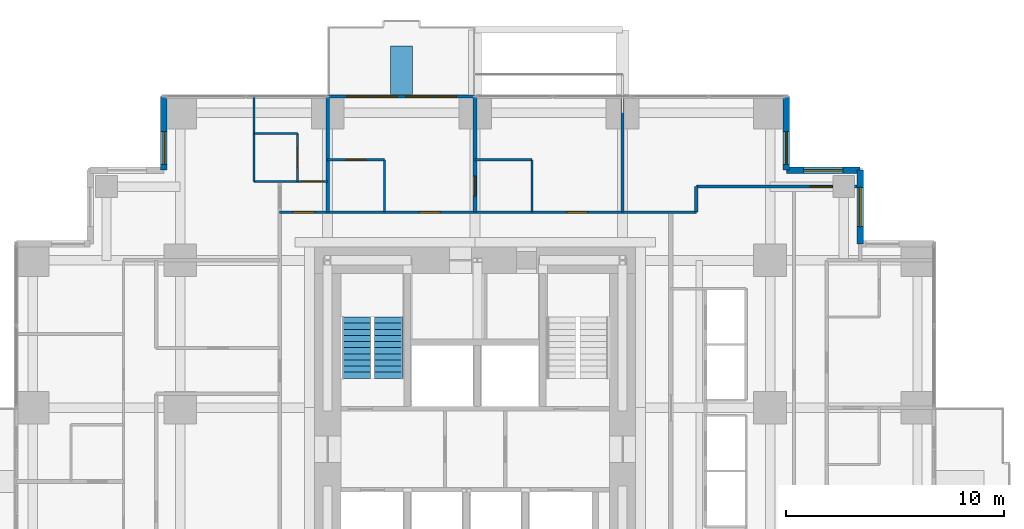
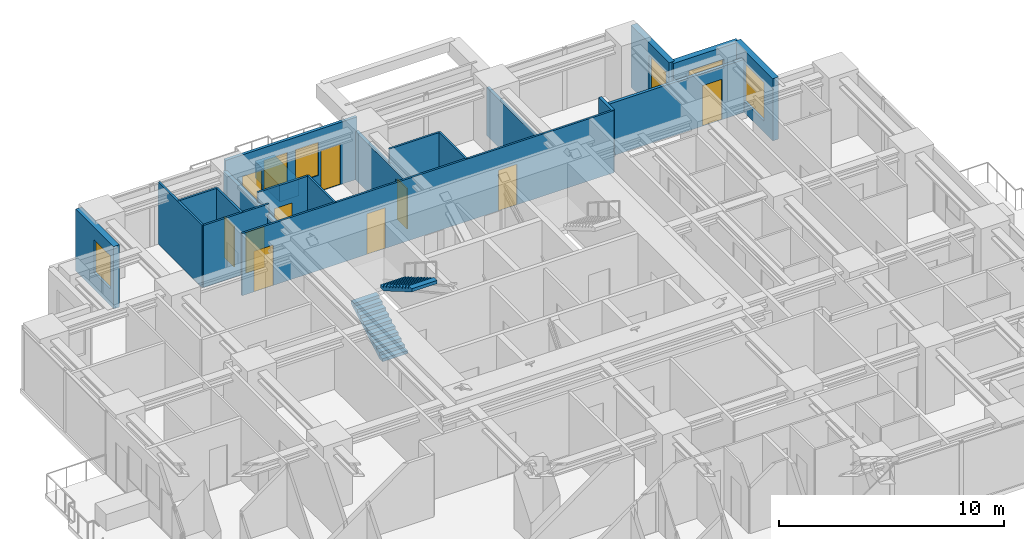
# One storey, part 11 of 13: 20 walls, 10 doors, 6 windows, 2 stair flights, 16 openings, 1 element without a shape of its own.
"""IFC4 building model written with IfcOpenShell, lengths in metres."""

from ifc_helpers import new_model, si_unit, direction, frame, frame_2d, origin, place, context, subcontext, project, spatial, polyline, rectangle, outline, extrude, material, layer, layer_set, type_object, element, fill, aggregate, save


model = new_model("IFC4")

# Units and contexts
model_context = context("Model", 3, precision=1e-05, world=origin(), true_north=direction((0.0, 1.0)))
body_context = subcontext(model_context, "Body", "Model", "MODEL_VIEW")
ifc_project = project(units=[si_unit("LENGTHUNIT", "METRE"), si_unit("AREAUNIT", "SQUARE_METRE"), si_unit("VOLUMEUNIT", "CUBIC_METRE"), si_unit("PLANEANGLEUNIT", "RADIAN"), si_unit("MASSUNIT", "GRAM", prefix="KILO")], contexts=[model_context])

# Site, building, storey
site_placement = place(None, origin())
site = spatial("IfcSite", under=ifc_project, at=site_placement, CompositionType="ELEMENT")
building_placement = place(site_placement, origin())
building = spatial("IfcBuilding", under=site, at=building_placement, Name="Nyansa Garden Tower", CompositionType="ELEMENT")
storey_placement = place(building_placement, frame((0.0, 0.0, 123.300048828125)))
storey = spatial("IfcBuildingStorey", under=building, at=storey_placement, Name="L33", CompositionType="ELEMENT", Elevation=123.300048828125)

# Wall
ifc_material_1 = material(Name="Dense blockwork, plastered both sides, 55 dB", Category="masonry")
ifc_layer_1 = layer(ifc_material_1, 0.175048828125)
ifc_layer_set_1 = layer_set([ifc_layer_1], Name="Acoustic party wall PW175")
wall_type_1 = type_object("IfcWallType", Name="Acoustic party wall PW175", PredefinedType="PARTITIONING", material=ifc_layer_set_1)
wall_1_placement = place(storey_placement, frame((13.5, 29.199951171875, 0.0), z_axis=(0.0, 0.0, 1.0), x_axis=(0.0, 1.0, 0.0)))
element("IfcWall", 1, at=wall_1_placement, inside=storey, type_object=wall_type_1, Name="Party wall", PredefinedType="PARTITIONING", context=body_context, shape_type="SweptSolid", body=[
    extrude(rectangle(XDim=5.283935546875, YDim=0.175048828125, at=frame_2d((2.64208984375, 0.0))), origin(), (0.0, 0.0, 1.0), 2.805908203125),
])

# Wall, opening, door
wall_2_placement = place(storey_placement, frame((20.25, 29.199951171875, 0.0), z_axis=(0.0, 0.0, 1.0), x_axis=(0.0, 1.0, 0.0)))
wall_2 = element("IfcWall", 2, at=wall_2_placement, inside=storey, type_object=wall_type_1, Name="Party wall", PredefinedType="PARTITIONING", context=body_context, shape_type="SweptSolid", body=[
    extrude(rectangle(XDim=5.283935546875, YDim=0.175048828125, at=frame_2d((2.64208984375, 0.0))), origin(), (0.0, 0.0, 1.0), 2.60986328125),
])
opening_1_placement = place(wall_2_placement, frame((0.75, 0.0, 0.0)))
opening_1 = element("IfcOpeningElement", 3, at=opening_1_placement, cuts=wall_2, Name="Opening D02", PredefinedType="OPENING", context=body_context, shape_type="SweptSolid", body=[
    extrude(rectangle(XDim=0.89990234375, YDim=2.199951171875, at=frame_2d((0.449951171875, 1.10009765625))), frame((0.0, 0.097412109375, 0.0), z_axis=(0.0, -1.0, 0.0), x_axis=(1.0, 0.0, 0.0)), (0.0, 0.0, 1.0), 0.195068359375),
])
ifc_material_2 = material(Name="Timber flush door", Category="wood")
door_type_1 = type_object("IfcDoorType", Name="En-suite door D02 900x2200", OperationType="SINGLE_SWING_RIGHT", PredefinedType="DOOR", material=ifc_material_2)
door_1_placement = place(opening_1_placement, origin())
door_1 = element("IfcDoor", 4, at=door_1_placement, inside=storey, type_object=door_type_1, Name="Door L33-048", OperationType="SINGLE_SWING_RIGHT", OverallHeight=2.199951171875, OverallWidth=0.89990234375, PredefinedType="DOOR", context=body_context, shape_type="SweptSolid", body=[
    extrude(rectangle(XDim=0.89990234375, YDim=2.199951171875, at=frame_2d((0.449951171875, 1.10009765625))), frame((0.0, 0.02490234375, 0.0), z_axis=(0.0, -1.0, 0.0), x_axis=(1.0, 0.0, 0.0)), (0.0, 0.0, 1.0), 0.050048828125),
])
fill(opening_1, door_1)

# Wall, openings, doors, windows
ifc_material_3 = material(Name="Black aluminium framed glazed screen", Category="aluminium")
ifc_layer_2 = layer(ifc_material_3, 0.14990234375)
ifc_layer_set_2 = layer_set([ifc_layer_2], Name="Balcony screen wall BW150")
wall_type_2 = type_object("IfcWallType", Name="Balcony screen wall BW150", PredefinedType="SOLIDWALL", material=ifc_layer_set_2)
wall_3_placement = place(storey_placement, frame((13.5, 34.5, 0.0), z_axis=(0.0, 0.0, 1.0), x_axis=(1.0, 0.0, 0.0)))
wall_3 = element("IfcWall", 5, at=wall_3_placement, inside=storey, type_object=wall_type_2, Name="Glazed screen wall L33 N", PredefinedType="SOLIDWALL", context=body_context, shape_type="SweptSolid", body=[
    extrude(rectangle(XDim=6.75, YDim=0.14990234375, at=frame_2d((3.375, 0.0))), origin(), (0.0, 0.0, 1.0), 3.375),
])
opening_2_placement = place(wall_3_placement, frame((0.862548828125, 0.0, 0.0)))
opening_2 = element("IfcOpeningElement", 6, at=opening_2_placement, cuts=wall_3, Name="Opening D20", PredefinedType="OPENING", context=body_context, shape_type="SweptSolid", body=[
    extrude(rectangle(XDim=1.0, YDim=2.199951171875, at=frame_2d((0.5, 1.10009765625))), frame((0.0, 0.0849609375, 0.0), z_axis=(0.0, -1.0, 0.0), x_axis=(1.0, 0.0, 0.0)), (0.0, 0.0, 1.0), 0.169921875),
])
opening_3_placement = place(wall_3_placement, frame((1.97509765625, 0.0, 0.89990234375)))
opening_3 = element("IfcOpeningElement", 7, at=opening_3_placement, cuts=wall_3, Name="Opening W6", PredefinedType="OPENING", context=body_context, shape_type="SweptSolid", body=[
    extrude(rectangle(XDim=1.199951171875, YDim=1.800048828125, at=frame_2d((0.60009765625, 0.89990234375))), frame((0.0, 0.0849609375, 0.0), z_axis=(0.0, -1.0, 0.0), x_axis=(1.0, 0.0, 0.0)), (0.0, 0.0, 1.0), 0.169921875),
])
opening_4_placement = place(wall_3_placement, frame((4.887451171875, 0.0, 0.0)))
opening_4 = element("IfcOpeningElement", 8, at=opening_4_placement, cuts=wall_3, Name="Opening D20", PredefinedType="OPENING", context=body_context, shape_type="SweptSolid", body=[
    extrude(rectangle(XDim=1.0, YDim=2.199951171875, at=frame_2d((0.5, 1.10009765625))), frame((0.0, 0.0849609375, 0.0), z_axis=(0.0, -1.0, 0.0), x_axis=(1.0, 0.0, 0.0)), (0.0, 0.0, 1.0), 0.169921875),
])
opening_5_placement = place(wall_3_placement, frame((3.574951171875, 0.0, 0.89990234375)))
opening_5 = element("IfcOpeningElement", 9, at=opening_5_placement, cuts=wall_3, Name="Opening W6", PredefinedType="OPENING", context=body_context, shape_type="SweptSolid", body=[
    extrude(rectangle(XDim=1.199951171875, YDim=1.800048828125, at=frame_2d((0.60009765625, 0.89990234375))), frame((0.0, 0.0849609375, 0.0), z_axis=(0.0, -1.0, 0.0), x_axis=(1.0, 0.0, 0.0)), (0.0, 0.0, 1.0), 0.169921875),
])
ifc_material_4 = material(Name="Black aluminium framed glazed door", Category="aluminium")
door_type_2 = type_object("IfcDoorType", Name="Balcony door D20 1000x2200", OperationType="NOTDEFINED", PredefinedType="DOOR", material=ifc_material_4)
door_2_placement = place(opening_2_placement, origin())
door_2 = element("IfcDoor", 10, at=door_2_placement, inside=storey, type_object=door_type_2, Name="Balcony door L33", OperationType="SINGLE_SWING_LEFT", OverallHeight=2.199951171875, OverallWidth=1.0, PredefinedType="DOOR", context=body_context, shape_type="SweptSolid", body=[
    extrude(rectangle(XDim=1.0, YDim=2.199951171875, at=frame_2d((0.5, 1.10009765625))), frame((0.0, 0.02490234375, 0.0), z_axis=(0.0, -1.0, 0.0), x_axis=(1.0, 0.0, 0.0)), (0.0, 0.0, 1.0), 0.050048828125),
])
fill(opening_2, door_2)
door_3_placement = place(opening_4_placement, origin())
door_3 = element("IfcDoor", 11, at=door_3_placement, inside=storey, type_object=door_type_2, Name="Balcony door L33", OperationType="SINGLE_SWING_RIGHT", OverallHeight=2.199951171875, OverallWidth=1.0, PredefinedType="DOOR", context=body_context, shape_type="SweptSolid", body=[
    extrude(rectangle(XDim=1.0, YDim=2.199951171875, at=frame_2d((0.5, 1.10009765625))), frame((0.0, 0.02490234375, 0.0), z_axis=(0.0, -1.0, 0.0), x_axis=(1.0, 0.0, 0.0)), (0.0, 0.0, 1.0), 0.050048828125),
])
fill(opening_4, door_3)
ifc_material_5 = material(Name="Black aluminium frame, dark tinted double glazing", Category="aluminium")
window_type_1 = type_object("IfcWindowType", Name="Balcony window W6 1200x1800", PartitioningType="SINGLE_PANEL", PredefinedType="WINDOW", material=ifc_material_5)
window_1_placement = place(opening_3_placement, origin())
window_1 = element("IfcWindow", 12, at=window_1_placement, inside=storey, type_object=window_type_1, Name="Window L33", OverallHeight=1.800048828125, OverallWidth=1.199951171875, PartitioningType="SINGLE_PANEL", PredefinedType="WINDOW", context=body_context, shape_type="SweptSolid", body=[
    extrude(rectangle(XDim=1.199951171875, YDim=1.800048828125, at=frame_2d((0.60009765625, 0.89990234375))), frame((0.0, 0.030029296875, 0.0), z_axis=(0.0, -1.0, 0.0), x_axis=(1.0, 0.0, 0.0)), (0.0, 0.0, 1.0), 0.06005859375),
])
fill(opening_3, window_1)
window_2_placement = place(opening_5_placement, origin())
window_2 = element("IfcWindow", 13, at=window_2_placement, inside=storey, type_object=window_type_1, Name="Window L33", OverallHeight=1.800048828125, OverallWidth=1.199951171875, PartitioningType="SINGLE_PANEL", PredefinedType="WINDOW", context=body_context, shape_type="SweptSolid", body=[
    extrude(rectangle(XDim=1.199951171875, YDim=1.800048828125, at=frame_2d((0.60009765625, 0.89990234375))), frame((0.0, 0.030029296875, 0.0), z_axis=(0.0, -1.0, 0.0), x_axis=(1.0, 0.0, 0.0)), (0.0, 0.0, 1.0), 0.06005859375),
])
fill(opening_5, window_2)

# Walls
ifc_material_6 = material(Name="Blockwork, plastered both sides", Category="masonry")
ifc_layer_3 = layer(ifc_material_6, 0.14990234375)
ifc_layer_set_3 = layer_set([ifc_layer_3], Name="Partition PW150")
wall_type_3 = type_object("IfcWallType", Name="Partition PW150", PredefinedType="PARTITIONING", material=ifc_layer_set_3)
wall_4_placement = place(storey_placement, frame((27.0, 29.199951171875, 0.0), z_axis=(0.0, 0.0, 1.0), x_axis=(0.0, 1.0, 0.0)))
element("IfcWall", 14, at=wall_4_placement, inside=storey, type_object=wall_type_3, Name="Partition", PredefinedType="PARTITIONING", context=body_context, shape_type="SweptSolid", body=[
    extrude(rectangle(XDim=5.283935546875, YDim=0.14990234375, at=frame_2d((2.64208984375, 0.0))), origin(), (0.0, 0.0, 1.0), 2.60986328125),
])
wall_5_placement = place(storey_placement, frame((30.375, 29.199951171875, 0.0), z_axis=(0.0, 0.0, 1.0), x_axis=(0.0, 1.0, 0.0)))
element("IfcWall", 15, at=wall_5_placement, inside=storey, type_object=wall_type_3, Name="Partition", PredefinedType="PARTITIONING", context=body_context, shape_type="SweptSolid", body=[
    extrude(rectangle(XDim=1.175048828125, YDim=0.14990234375, at=frame_2d((0.58740234375, 0.0))), origin(), (0.0, 0.0, 1.0), 3.375),
])

# Wall, opening, door
wall_6_placement = place(storey_placement, frame((30.375, 30.375, 0.0), z_axis=(0.0, 0.0, 1.0), x_axis=(1.0, 0.0, 0.0)))
wall_6 = element("IfcWall", 16, at=wall_6_placement, inside=storey, type_object=wall_type_3, Name="Partition", PredefinedType="PARTITIONING", context=body_context, shape_type="SweptSolid", body=[
    extrude(rectangle(XDim=7.35009765625, YDim=0.14990234375, at=frame_2d((3.675048828125, 0.0))), origin(), (0.0, 0.0, 1.0), 2.876953125),
])
opening_6_placement = place(wall_6_placement, frame((5.22509765625, 0.0, 0.0)))
opening_6 = element("IfcOpeningElement", 17, at=opening_6_placement, cuts=wall_6, Name="Opening D03", PredefinedType="OPENING", context=body_context, shape_type="SweptSolid", body=[
    extrude(rectangle(XDim=1.0, YDim=2.199951171875, at=frame_2d((0.5, 1.10009765625))), frame((0.0, 0.0849609375, 0.0), z_axis=(0.0, -1.0, 0.0), x_axis=(1.0, 0.0, 0.0)), (0.0, 0.0, 1.0), 0.169921875),
])
ifc_material_7 = material(Name="Timber flush door, 60 minute fire resisting", Category="wood")
door_type_3 = type_object("IfcDoorType", Name="Cluster entrance door D03 1000x2200", OperationType="SINGLE_SWING_LEFT", PredefinedType="DOOR", material=ifc_material_7)
door_4_placement = place(opening_6_placement, origin())
door_4 = element("IfcDoor", 18, at=door_4_placement, inside=storey, type_object=door_type_3, Name="Door L33-044", OperationType="SINGLE_SWING_LEFT", OverallHeight=2.199951171875, OverallWidth=1.0, PredefinedType="DOOR", context=body_context, shape_type="SweptSolid", body=[
    extrude(rectangle(XDim=1.0, YDim=2.199951171875, at=frame_2d((0.5, 1.10009765625))), frame((0.0, 0.02490234375, 0.0), z_axis=(0.0, -1.0, 0.0), x_axis=(1.0, 0.0, 0.0)), (0.0, 0.0, 1.0), 0.050048828125),
])
fill(opening_6, door_4)

# Wall, opening, window
ifc_material_8 = material(Name="Turquoise glazed tile on concrete blockwork", Category="masonry")
ifc_layer_4 = layer(ifc_material_8, 0.300048828125)
ifc_layer_set_4 = layer_set([ifc_layer_4], Name="Tiled corner wall TW300")
wall_type_4 = type_object("IfcWallType", Name="Tiled corner wall TW300", PredefinedType="SOLIDWALL", material=ifc_layer_set_4)
wall_7_placement = place(storey_placement, frame((37.875, 27.75, 0.0), z_axis=(0.0, 0.0, 1.0), x_axis=(0.0, 1.0, 0.0)))
wall_7 = element("IfcWall", 19, at=wall_7_placement, inside=storey, type_object=wall_type_4, Name="Tiled corner wall L33", PredefinedType="SOLIDWALL", context=body_context, shape_type="SweptSolid", body=[
    extrude(rectangle(XDim=3.375, YDim=0.300048828125, at=frame_2d((1.6875, 0.0))), origin(), (0.0, 0.0, 1.0), 3.375),
])
opening_7_placement = place(wall_7_placement, frame((0.78759765625, 0.0, 0.60009765625)))
opening_7 = element("IfcOpeningElement", 20, at=opening_7_placement, cuts=wall_7, Name="Opening W2", PredefinedType="OPENING", context=body_context, shape_type="SweptSolid", body=[
    extrude(rectangle(XDim=1.800048828125, YDim=2.10009765625, at=frame_2d((0.89990234375, 1.050048828125))), frame((0.0, 0.159912109375, 0.0), z_axis=(0.0, -1.0, 0.0), x_axis=(1.0, 0.0, 0.0)), (0.0, 0.0, 1.0), 0.320068359375),
])
ifc_material_9 = material(Name="Black aluminium frame, dark tinted double glazing", Category="aluminium")
window_type_2 = type_object("IfcWindowType", Name="Window W2 1800x2100", PartitioningType="SINGLE_PANEL", PredefinedType="WINDOW", material=ifc_material_9)
window_3_placement = place(opening_7_placement, origin())
window_3 = element("IfcWindow", 21, at=window_3_placement, inside=storey, type_object=window_type_2, Name="Corner window L33", OverallHeight=2.10009765625, OverallWidth=1.800048828125, PartitioningType="SINGLE_PANEL", PredefinedType="WINDOW", context=body_context, shape_type="SweptSolid", body=[
    extrude(rectangle(XDim=1.800048828125, YDim=2.10009765625, at=frame_2d((0.89990234375, 1.050048828125))), frame((0.0, 0.030029296875, 0.0), z_axis=(0.0, -1.0, 0.0), x_axis=(1.0, 0.0, 0.0)), (0.0, 0.0, 1.0), 0.06005859375),
])
fill(opening_7, window_3)

wall_8_placement = place(storey_placement, frame((37.875, 31.125, 0.0), z_axis=(0.0, 0.0, 1.0), x_axis=(-1.0, 0.0, 0.0)))
wall_8 = element("IfcWall", 22, at=wall_8_placement, inside=storey, type_object=wall_type_4, Name="Tiled corner wall L33", PredefinedType="SOLIDWALL", context=body_context, shape_type="SweptSolid", body=[
    extrude(rectangle(XDim=3.375, YDim=0.300048828125, at=frame_2d((1.6875, 0.0))), origin(), (0.0, 0.0, 1.0), 3.375),
])
opening_8_placement = place(wall_8_placement, frame((0.78759765625, 0.0, 0.60009765625)))
opening_8 = element("IfcOpeningElement", 23, at=opening_8_placement, cuts=wall_8, Name="Opening W2", PredefinedType="OPENING", context=body_context, shape_type="SweptSolid", body=[
    extrude(rectangle(XDim=1.800048828125, YDim=2.10009765625, at=frame_2d((0.89990234375, 1.050048828125))), frame((0.0, 0.159912109375, 0.0), z_axis=(0.0, -1.0, 0.0), x_axis=(1.0, 0.0, 0.0)), (0.0, 0.0, 1.0), 0.320068359375),
])
window_4_placement = place(opening_8_placement, origin())
window_4 = element("IfcWindow", 24, at=window_4_placement, inside=storey, type_object=window_type_2, Name="Corner window L33", OverallHeight=2.10009765625, OverallWidth=1.800048828125, PartitioningType="SINGLE_PANEL", PredefinedType="WINDOW", context=body_context, shape_type="SweptSolid", body=[
    extrude(rectangle(XDim=1.800048828125, YDim=2.10009765625, at=frame_2d((0.89990234375, 1.050048828125))), frame((0.0, 0.030029296875, 0.0), z_axis=(0.0, -1.0, 0.0), x_axis=(1.0, 0.0, 0.0)), (0.0, 0.0, 1.0), 0.06005859375),
])
fill(opening_8, window_4)

wall_9_placement = place(storey_placement, frame((34.5, 31.125, 0.0), z_axis=(0.0, 0.0, 1.0), x_axis=(0.0, 1.0, 0.0)))
wall_9 = element("IfcWall", 25, at=wall_9_placement, inside=storey, type_object=wall_type_4, Name="Tiled corner wall L33", PredefinedType="SOLIDWALL", context=body_context, shape_type="SweptSolid", body=[
    extrude(rectangle(XDim=3.375, YDim=0.300048828125, at=frame_2d((1.6875, 0.0))), origin(), (0.0, 0.0, 1.0), 3.375),
])
opening_9_placement = place(wall_9_placement, frame((0.267578125, 0.0, 0.89990234375)))
opening_9 = element("IfcOpeningElement", 26, at=opening_9_placement, cuts=wall_9, Name="Opening W1", PredefinedType="OPENING", context=body_context, shape_type="SweptSolid", body=[
    extrude(rectangle(XDim=1.5, YDim=1.800048828125, at=frame_2d((0.75, 0.89990234375))), frame((0.0, 0.159912109375, 0.0), z_axis=(0.0, -1.0, 0.0), x_axis=(1.0, 0.0, 0.0)), (0.0, 0.0, 1.0), 0.320068359375),
])
ifc_material_10 = material(Name="Black aluminium frame, dark tinted double glazing", Category="aluminium")
window_type_3 = type_object("IfcWindowType", Name="Window W1 1500x1800", PartitioningType="SINGLE_PANEL", PredefinedType="WINDOW", material=ifc_material_10)
window_5_placement = place(opening_9_placement, origin())
window_5 = element("IfcWindow", 27, at=window_5_placement, inside=storey, type_object=window_type_3, Name="Corner window L33", OverallHeight=1.800048828125, OverallWidth=1.5, PartitioningType="SINGLE_PANEL", PredefinedType="WINDOW", context=body_context, shape_type="SweptSolid", body=[
    extrude(rectangle(XDim=1.5, YDim=1.800048828125, at=frame_2d((0.75, 0.89990234375))), frame((0.0, 0.030029296875, 0.0), z_axis=(0.0, -1.0, 0.0), x_axis=(1.0, 0.0, 0.0)), (0.0, 0.0, 1.0), 0.06005859375),
])
fill(opening_9, window_5)

wall_10_placement = place(storey_placement, frame((6.0, 34.5, 0.0), z_axis=(0.0, 0.0, 1.0), x_axis=(0.0, -1.0, 0.0)))
wall_10 = element("IfcWall", 28, at=wall_10_placement, inside=storey, type_object=wall_type_4, Name="Tiled corner wall L33", PredefinedType="SOLIDWALL", context=body_context, shape_type="SweptSolid", body=[
    extrude(rectangle(XDim=3.375, YDim=0.300048828125, at=frame_2d((1.6875, 0.0))), origin(), (0.0, 0.0, 1.0), 3.375),
])
opening_10_placement = place(wall_10_placement, frame((1.607421875, 0.0, 0.89990234375)))
opening_10 = element("IfcOpeningElement", 29, at=opening_10_placement, cuts=wall_10, Name="Opening W1", PredefinedType="OPENING", context=body_context, shape_type="SweptSolid", body=[
    extrude(rectangle(XDim=1.5, YDim=1.800048828125, at=frame_2d((0.75, 0.89990234375))), frame((0.0, 0.159912109375, 0.0), z_axis=(0.0, -1.0, 0.0), x_axis=(1.0, 0.0, 0.0)), (0.0, 0.0, 1.0), 0.320068359375),
])
window_6_placement = place(opening_10_placement, origin())
window_6 = element("IfcWindow", 30, at=window_6_placement, inside=storey, type_object=window_type_3, Name="Corner window L33", OverallHeight=1.800048828125, OverallWidth=1.5, PartitioningType="SINGLE_PANEL", PredefinedType="WINDOW", context=body_context, shape_type="SweptSolid", body=[
    extrude(rectangle(XDim=1.5, YDim=1.800048828125, at=frame_2d((0.75, 0.89990234375))), frame((0.0, 0.030029296875, 0.0), z_axis=(0.0, -1.0, 0.0), x_axis=(1.0, 0.0, 0.0)), (0.0, 0.0, 1.0), 0.06005859375),
])
fill(opening_10, window_6)

# Walls
ifc_material_11 = material(Name="Concrete C40/50 planter, waterproofed", Category="concrete")
ifc_layer_5 = layer(ifc_material_11, 1.0)
ifc_layer_set_5 = layer_set([ifc_layer_5], Name="Tree planter TP1")
wall_type_5 = type_object("IfcWallType", Name="Tree planter TP1", PredefinedType="USERDEFINED", material=ifc_layer_set_5)
wall_11_placement = place(storey_placement, frame((16.875, 34.60009765625, 0.0), z_axis=(0.0, 0.0, 1.0), x_axis=(0.0, 1.0, 0.0)))
element("IfcWall", 31, at=wall_11_placement, inside=storey, type_object=wall_type_5, Name="Tree planter L33", ObjectType="TREE PLANTER", PredefinedType="USERDEFINED", context=body_context, shape_type="SweptSolid", body=[
    extrude(rectangle(XDim=2.199951171875, YDim=1.0, at=frame_2d((1.10009765625, 0.0))), origin(), (0.0, 0.0, 1.0), 0.89990234375),
])
ifc_material_12 = material(Name="Moisture resistant board on steel studs, tiled", Category="steel")
ifc_layer_6 = layer(ifc_material_12, 0.10009765625)
ifc_layer_set_6 = layer_set([ifc_layer_6], Name="Wet wall PW100")
wall_type_6 = type_object("IfcWallType", Name="Wet wall PW100", PredefinedType="PARTITIONING", material=ifc_layer_set_6)
wall_12_placement = place(storey_placement, frame((10.125, 30.60009765625, 0.0), z_axis=(0.0, 0.0, 1.0), x_axis=(0.0, 1.0, 0.0)))
element("IfcWall", 32, at=wall_12_placement, inside=storey, type_object=wall_type_6, Name="Wet wall", PredefinedType="PARTITIONING", context=body_context, shape_type="SweptSolid", body=[
    extrude(rectangle(XDim=3.8837890625, YDim=0.10009765625, at=frame_2d((1.94189453125, 0.0))), origin(), (0.0, 0.0, 1.0), 3.375),
])

# Wall, opening, door
wall_13_placement = place(storey_placement, frame((10.125, 30.60009765625, 0.0), z_axis=(0.0, 0.0, 1.0), x_axis=(1.0, 0.0, 0.0)))
wall_13 = element("IfcWall", 33, at=wall_13_placement, inside=storey, type_object=wall_type_6, Name="Wet wall", PredefinedType="PARTITIONING", context=body_context, shape_type="SweptSolid", body=[
    extrude(rectangle(XDim=3.375, YDim=0.10009765625, at=frame_2d((1.6875, 0.0))), origin(), (0.0, 0.0, 1.0), 3.375),
])
opening_11_placement = place(wall_13_placement, frame((2.199951171875, 0.0, 0.0)))
opening_11 = element("IfcOpeningElement", 34, at=opening_11_placement, cuts=wall_13, Name="Opening D14", PredefinedType="OPENING", context=body_context, shape_type="SweptSolid", body=[
    extrude(rectangle(XDim=0.949951171875, YDim=2.199951171875, at=frame_2d((0.47509765625, 1.10009765625))), frame((0.0, 0.06005859375, 0.0), z_axis=(0.0, -1.0, 0.0), x_axis=(1.0, 0.0, 0.0)), (0.0, 0.0, 1.0), 0.1201171875),
])
ifc_material_13 = material(Name="Timber flush door, 60 minute fire resisting, self-closing", Category="wood")
door_type_4 = type_object("IfcDoorType", Name="Studio entrance door D14 950x2200", OperationType="SINGLE_SWING_LEFT", PredefinedType="DOOR", material=ifc_material_13)
door_5_placement = place(opening_11_placement, origin())
door_5 = element("IfcDoor", 35, at=door_5_placement, inside=storey, type_object=door_type_4, Name="Door L33-049", OperationType="SINGLE_SWING_LEFT", OverallHeight=2.199951171875, OverallWidth=0.949951171875, PredefinedType="DOOR", context=body_context, shape_type="SweptSolid", body=[
    extrude(rectangle(XDim=0.949951171875, YDim=2.199951171875, at=frame_2d((0.47509765625, 1.10009765625))), frame((0.0, 0.02490234375, 0.0), z_axis=(0.0, -1.0, 0.0), x_axis=(1.0, 0.0, 0.0)), (0.0, 0.0, 1.0), 0.050048828125),
])
fill(opening_11, door_5)

# Wall
wall_14_placement = place(storey_placement, frame((10.125, 32.800048828125, 0.0), z_axis=(0.0, 0.0, 1.0), x_axis=(1.0, 0.0, 0.0)))
element("IfcWall", 36, at=wall_14_placement, inside=storey, type_object=wall_type_6, Name="Wet wall", PredefinedType="PARTITIONING", context=body_context, shape_type="SweptSolid", body=[
    extrude(rectangle(XDim=2.0, YDim=0.10009765625, at=frame_2d((1.0, 0.0))), origin(), (0.0, 0.0, 1.0), 3.375),
])

# Wall, openings, doors
wall_15_placement = place(storey_placement, frame((11.300048828125, 29.199951171875, 0.0), z_axis=(0.0, 0.0, 1.0), x_axis=(1.0, 0.0, 0.0)))
wall_15 = element("IfcWall", 37, at=wall_15_placement, inside=storey, type_object=wall_type_6, Name="Wet wall", PredefinedType="PARTITIONING", context=body_context, shape_type="SweptSolid", body=[
    extrude(rectangle(XDim=19.074951171875, YDim=0.10009765625, at=frame_2d((9.53759765625, 0.0))), origin(), (0.0, 0.0, 1.0), 3.375),
])
opening_12_placement = place(wall_15_placement, frame((6.39990234375, 0.0, 0.0)))
opening_12 = element("IfcOpeningElement", 38, at=opening_12_placement, cuts=wall_15, Name="Opening D14", PredefinedType="OPENING", context=body_context, shape_type="SweptSolid", body=[
    extrude(rectangle(XDim=0.949951171875, YDim=2.199951171875, at=frame_2d((0.47509765625, 1.10009765625))), frame((0.0, 0.06005859375, 0.0), z_axis=(0.0, -1.0, 0.0), x_axis=(1.0, 0.0, 0.0)), (0.0, 0.0, 1.0), 0.1201171875),
])
opening_13_placement = place(wall_15_placement, frame((13.14990234375, 0.0, 0.0)))
opening_13 = element("IfcOpeningElement", 39, at=opening_13_placement, cuts=wall_15, Name="Opening D14", PredefinedType="OPENING", context=body_context, shape_type="SweptSolid", body=[
    extrude(rectangle(XDim=0.949951171875, YDim=2.199951171875, at=frame_2d((0.47509765625, 1.10009765625))), frame((0.0, 0.06005859375, 0.0), z_axis=(0.0, -1.0, 0.0), x_axis=(1.0, 0.0, 0.0)), (0.0, 0.0, 1.0), 0.1201171875),
])
opening_14_placement = place(wall_15_placement, frame((0.60009765625, 0.0, 0.0)))
opening_14 = element("IfcOpeningElement", 40, at=opening_14_placement, cuts=wall_15, Name="Opening D03", PredefinedType="OPENING", context=body_context, shape_type="SweptSolid", body=[
    extrude(rectangle(XDim=1.0, YDim=2.199951171875, at=frame_2d((0.5, 1.10009765625))), frame((0.0, 0.06005859375, 0.0), z_axis=(0.0, -1.0, 0.0), x_axis=(1.0, 0.0, 0.0)), (0.0, 0.0, 1.0), 0.1201171875),
])
door_6_placement = place(opening_14_placement, origin())
door_6 = element("IfcDoor", 41, at=door_6_placement, inside=storey, type_object=door_type_3, Name="Door L33-051", OperationType="SINGLE_SWING_LEFT", OverallHeight=2.199951171875, OverallWidth=1.0, PredefinedType="DOOR", context=body_context, shape_type="SweptSolid", body=[
    extrude(rectangle(XDim=1.0, YDim=2.199951171875, at=frame_2d((0.5, 1.10009765625))), frame((0.0, 0.02490234375, 0.0), z_axis=(0.0, -1.0, 0.0), x_axis=(1.0, 0.0, 0.0)), (0.0, 0.0, 1.0), 0.050048828125),
])
fill(opening_14, door_6)
door_7_placement = place(opening_12_placement, origin())
door_7 = element("IfcDoor", 42, at=door_7_placement, inside=storey, type_object=door_type_4, Name="Door L33-045", OperationType="SINGLE_SWING_LEFT", OverallHeight=2.199951171875, OverallWidth=0.949951171875, PredefinedType="DOOR", context=body_context, shape_type="SweptSolid", body=[
    extrude(rectangle(XDim=0.949951171875, YDim=2.199951171875, at=frame_2d((0.47509765625, 1.10009765625))), frame((0.0, 0.02490234375, 0.0), z_axis=(0.0, -1.0, 0.0), x_axis=(1.0, 0.0, 0.0)), (0.0, 0.0, 1.0), 0.050048828125),
])
fill(opening_12, door_7)
door_8_placement = place(opening_13_placement, origin())
door_8 = element("IfcDoor", 43, at=door_8_placement, inside=storey, type_object=door_type_4, Name="Door L33-047", OperationType="SINGLE_SWING_LEFT", OverallHeight=2.199951171875, OverallWidth=0.949951171875, PredefinedType="DOOR", context=body_context, shape_type="SweptSolid", body=[
    extrude(rectangle(XDim=0.949951171875, YDim=2.199951171875, at=frame_2d((0.47509765625, 1.10009765625))), frame((0.0, 0.02490234375, 0.0), z_axis=(0.0, -1.0, 0.0), x_axis=(1.0, 0.0, 0.0)), (0.0, 0.0, 1.0), 0.050048828125),
])
fill(opening_13, door_8)

# Wall, opening, door
wall_16_placement = place(storey_placement, frame((12.125, 30.60009765625, 0.0), z_axis=(0.0, 0.0, 1.0), x_axis=(0.0, 1.0, 0.0)))
wall_16 = element("IfcWall", 44, at=wall_16_placement, inside=storey, type_object=wall_type_6, Name="Wet wall", PredefinedType="PARTITIONING", context=body_context, shape_type="SweptSolid", body=[
    extrude(rectangle(XDim=2.199951171875, YDim=0.10009765625, at=frame_2d((1.10009765625, 0.0))), origin(), (0.0, 0.0, 1.0), 3.375),
])
opening_15_placement = place(wall_16_placement, frame((0.64990234375, 0.0, 0.0)))
opening_15 = element("IfcOpeningElement", 45, at=opening_15_placement, cuts=wall_16, Name="Opening D02", PredefinedType="OPENING", context=body_context, shape_type="SweptSolid", body=[
    extrude(rectangle(XDim=0.89990234375, YDim=2.199951171875, at=frame_2d((0.449951171875, 1.10009765625))), frame((0.0, 0.06005859375, 0.0), z_axis=(0.0, -1.0, 0.0), x_axis=(1.0, 0.0, 0.0)), (0.0, 0.0, 1.0), 0.1201171875),
])
door_9_placement = place(opening_15_placement, origin())
door_9 = element("IfcDoor", 46, at=door_9_placement, inside=storey, type_object=door_type_1, Name="Door L33-050", OperationType="SINGLE_SWING_RIGHT", OverallHeight=2.199951171875, OverallWidth=0.89990234375, PredefinedType="DOOR", context=body_context, shape_type="SweptSolid", body=[
    extrude(rectangle(XDim=0.89990234375, YDim=2.199951171875, at=frame_2d((0.449951171875, 1.10009765625))), frame((0.0, 0.02490234375, 0.0), z_axis=(0.0, -1.0, 0.0), x_axis=(1.0, 0.0, 0.0)), (0.0, 0.0, 1.0), 0.050048828125),
])
fill(opening_15, door_9)

wall_17_placement = place(storey_placement, frame((13.5, 31.60009765625, 0.0), z_axis=(0.0, 0.0, 1.0), x_axis=(1.0, 0.0, 0.0)))
wall_17 = element("IfcWall", 47, at=wall_17_placement, inside=storey, type_object=wall_type_6, Name="Wet wall", PredefinedType="PARTITIONING", context=body_context, shape_type="SweptSolid", body=[
    extrude(rectangle(XDim=2.60009765625, YDim=0.10009765625, at=frame_2d((1.300048828125, 0.0))), origin(), (0.0, 0.0, 1.0), 3.375),
])
opening_16_placement = place(wall_17_placement, frame((0.85009765625, 0.0, 0.0)))
opening_16 = element("IfcOpeningElement", 48, at=opening_16_placement, cuts=wall_17, Name="Opening D02", PredefinedType="OPENING", context=body_context, shape_type="SweptSolid", body=[
    extrude(rectangle(XDim=0.89990234375, YDim=2.199951171875, at=frame_2d((0.449951171875, 1.10009765625))), frame((0.0, 0.06005859375, 0.0), z_axis=(0.0, -1.0, 0.0), x_axis=(1.0, 0.0, 0.0)), (0.0, 0.0, 1.0), 0.1201171875),
])
door_10_placement = place(opening_16_placement, origin())
door_10 = element("IfcDoor", 49, at=door_10_placement, inside=storey, type_object=door_type_1, Name="Door L33-046", OperationType="SINGLE_SWING_RIGHT", OverallHeight=2.199951171875, OverallWidth=0.89990234375, PredefinedType="DOOR", context=body_context, shape_type="SweptSolid", body=[
    extrude(rectangle(XDim=0.89990234375, YDim=2.199951171875, at=frame_2d((0.449951171875, 1.10009765625))), frame((0.0, 0.02490234375, 0.0), z_axis=(0.0, -1.0, 0.0), x_axis=(1.0, 0.0, 0.0)), (0.0, 0.0, 1.0), 0.050048828125),
])
fill(opening_16, door_10)

# Walls
wall_18_placement = place(storey_placement, frame((16.10009765625, 29.199951171875, 0.0), z_axis=(0.0, 0.0, 1.0), x_axis=(0.0, 1.0, 0.0)))
element("IfcWall", 50, at=wall_18_placement, inside=storey, type_object=wall_type_6, Name="Wet wall", PredefinedType="PARTITIONING", context=body_context, shape_type="SweptSolid", body=[
    extrude(rectangle(XDim=2.400146484375, YDim=0.10009765625, at=frame_2d((1.2001953125, 0.0))), origin(), (0.0, 0.0, 1.0), 3.375),
])
wall_19_placement = place(storey_placement, frame((20.25, 31.60009765625, 0.0), z_axis=(0.0, 0.0, 1.0), x_axis=(1.0, 0.0, 0.0)))
element("IfcWall", 51, at=wall_19_placement, inside=storey, type_object=wall_type_6, Name="Wet wall", PredefinedType="PARTITIONING", context=body_context, shape_type="SweptSolid", body=[
    extrude(rectangle(XDim=2.60009765625, YDim=0.10009765625, at=frame_2d((1.300048828125, 0.0))), origin(), (0.0, 0.0, 1.0), 3.375),
])
wall_20_placement = place(storey_placement, frame((22.85009765625, 29.199951171875, 0.0), z_axis=(0.0, 0.0, 1.0), x_axis=(0.0, 1.0, 0.0)))
element("IfcWall", 52, at=wall_20_placement, inside=storey, type_object=wall_type_6, Name="Wet wall", PredefinedType="PARTITIONING", context=body_context, shape_type="SweptSolid", body=[
    extrude(rectangle(XDim=2.400146484375, YDim=0.10009765625, at=frame_2d((1.2001953125, 0.0))), origin(), (0.0, 0.0, 1.0), 3.375),
])

# Stair, stair flights
ifc_material_14 = material(Name="Precast concrete C40/50", Category="concrete")
stair_type = type_object("IfcStairType", Name="Stair S1 164x280", PredefinedType="HALF_TURN_STAIR", material=ifc_material_14)
stair_placement = place(storey_placement, origin())
stair = element("IfcStair", 53, at=stair_placement, inside=storey, type_object=stair_type, Name="Stair S1 L33", PredefinedType="HALF_TURN_STAIR")
ifc_material_15 = material(Name="Precast concrete C40/50", Category="concrete")
stair_flight_type = type_object("IfcStairFlightType", Name="Stair flight S1 164x280x11", PredefinedType="STRAIGHT", material=ifc_material_15)
stair_flight_1_placement = place(storey_placement, frame((14.800048828125, 21.60009765625, 0.0), z_axis=(0.0, 0.0, 1.0), x_axis=(0.0, 1.0, 0.0)))
stair_flight_1 = element("IfcStairFlight", 54, at=stair_flight_1_placement, type_object=stair_flight_type, Name="S1 flight 1", NumberOfRisers=11, NumberOfTreads=10, PredefinedType="STRAIGHT", RiserHeight=0.163636364, TreadLength=0.28, context=body_context, shape_type="SweptSolid", body=[
    extrude(outline(polyline([(0.0, 0.0), (0.0, 0.16357421875), (0.280029296875, 0.16357421875), (0.280029296875, 0.327392578125), (0.56005859375, 0.327392578125), (0.56005859375, 0.490966796875), (0.840087890625, 0.490966796875), (0.840087890625, 0.654541015625), (1.1201171875, 0.654541015625), (1.1201171875, 0.818115234375), (1.39990234375, 0.818115234375), (1.39990234375, 0.98193359375), (1.679931640625, 0.98193359375), (1.679931640625, 1.1455078125), (1.9599609375, 1.1455078125), (1.9599609375, 1.30908203125), (2.239990234375, 1.30908203125), (2.239990234375, 1.47265625), (2.52001953125, 1.47265625), (2.52001953125, 1.636474609375), (2.800048828125, 1.636474609375), (2.800048828125, 1.800048828125), (2.800048828125, 1.462646484375), (0.297119140625, 0.0), (0.0, 0.0)])), frame((0.0, 0.64990234375, 0.0), z_axis=(0.0, -1.0, 0.0), x_axis=(1.0, 0.0, 0.0)), (0.0, 0.0, 1.0), 1.300048828125),
])
stair_flight_2_placement = place(storey_placement, frame((16.300048828125, 24.39990234375, 1.800048828125), z_axis=(0.0, 0.0, 1.0), x_axis=(0.0, -1.0, 0.0)))
stair_flight_2 = element("IfcStairFlight", 55, at=stair_flight_2_placement, type_object=stair_flight_type, Name="S1 flight 2", NumberOfRisers=11, NumberOfTreads=10, PredefinedType="STRAIGHT", RiserHeight=0.163636364, TreadLength=0.28, context=body_context, shape_type="SweptSolid", body=[
    extrude(outline(polyline([(0.0, 0.0), (0.0, 0.16357421875), (0.280029296875, 0.16357421875), (0.280029296875, 0.327392578125), (0.56005859375, 0.327392578125), (0.56005859375, 0.490966796875), (0.840087890625, 0.490966796875), (0.840087890625, 0.654541015625), (1.1201171875, 0.654541015625), (1.1201171875, 0.818115234375), (1.39990234375, 0.818115234375), (1.39990234375, 0.98193359375), (1.679931640625, 0.98193359375), (1.679931640625, 1.1455078125), (1.9599609375, 1.1455078125), (1.9599609375, 1.30908203125), (2.239990234375, 1.30908203125), (2.239990234375, 1.47265625), (2.52001953125, 1.47265625), (2.52001953125, 1.636474609375), (2.800048828125, 1.636474609375), (2.800048828125, 1.800048828125), (2.800048828125, 1.462646484375), (0.297119140625, 0.0), (0.0, 0.0)])), frame((0.0, 0.64990234375, 0.0), z_axis=(0.0, -1.0, 0.0), x_axis=(1.0, 0.0, 0.0)), (0.0, 0.0, 1.0), 1.300048828125),
])
aggregate(stair, [stair_flight_1, stair_flight_2])

save(model, "model.ifc")
